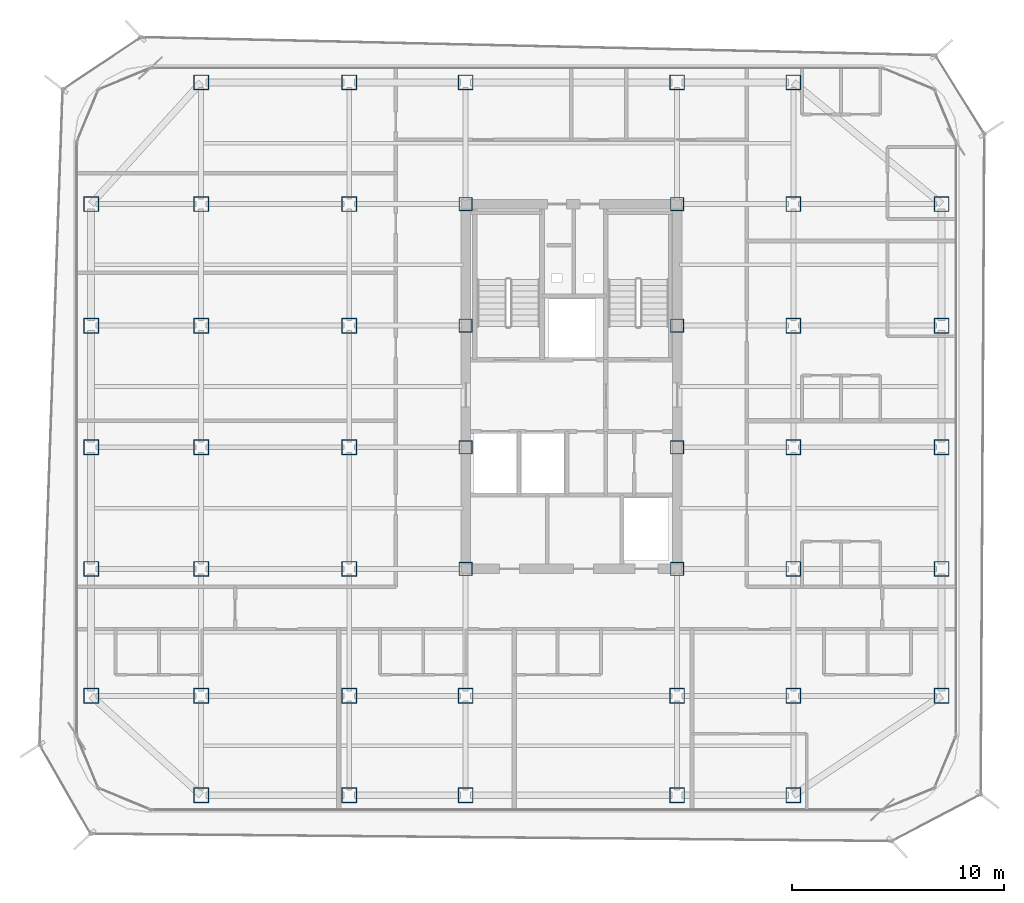
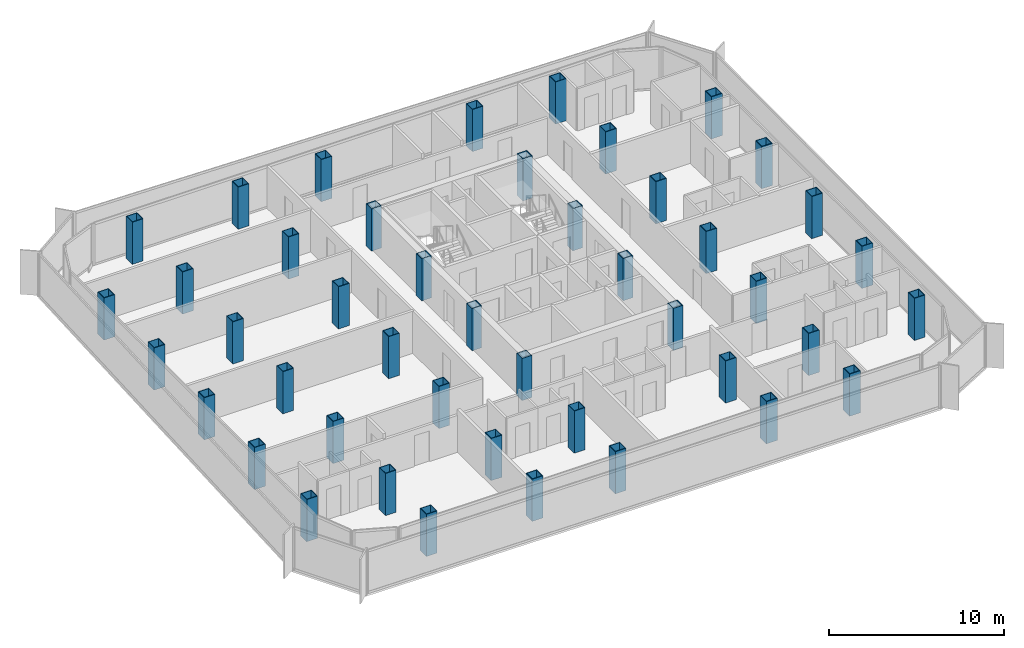
# One storey, part 1 of 16: 45 columns.
"""IFC4 building model written with IfcOpenShell, lengths in metres."""

from ifc_helpers import new_model, si_unit, direction, frame, origin, origin_2d, place, context, subcontext, project, spatial, hollow_rectangle, extrude, source, transform, mapped, material, material_profile, profile_set, type_object, element, save


model = new_model("IFC4")

# Units and contexts
model_context = context("Model", 3, precision=1e-05, world=origin(), true_north=direction((0.0, 1.0)))
body_context = subcontext(model_context, "Body", "Model", "MODEL_VIEW")
ifc_project = project(units=[si_unit("LENGTHUNIT", "METRE"), si_unit("AREAUNIT", "SQUARE_METRE"), si_unit("VOLUMEUNIT", "CUBIC_METRE"), si_unit("PLANEANGLEUNIT", "RADIAN"), si_unit("MASSUNIT", "GRAM", prefix="KILO")], contexts=[model_context])

# Site, building, storey
site_placement = place(None, origin())
site = spatial("IfcSite", under=ifc_project, at=site_placement, CompositionType="ELEMENT")
building_placement = place(site_placement, origin())
building = spatial("IfcBuilding", under=site, at=building_placement, Name="Kolveth Station Tower", CompositionType="ELEMENT")
storey_placement = place(building_placement, frame((0.0, 0.0, 162.5)))
storey = spatial("IfcBuildingStorey", under=building, at=storey_placement, Name="L45", CompositionType="ELEMENT", Elevation=162.5)

# Columns
ifc_material = material(Name="Steel S355", Category="steel")
ifc_material_profile_1 = material_profile(ifc_material, hollow_rectangle(XDim=0.719970703125, YDim=0.719970703125, WallThickness=0.0400390625, at=origin_2d()), Name="BOX720x720x40")
ifc_profile_set_1 = profile_set([ifc_material_profile_1], Name="Steel S355")
column_type_1 = type_object("IfcColumnType", Name="Col_C6", PredefinedType="COLUMN", material=ifc_profile_set_1)
shared_shape_1 = source(origin(), body_context, "Body", "SweptSolid", [
    extrude(hollow_rectangle(XDim=0.719970703125, YDim=0.719970703125, WallThickness=0.0400390625, at=origin_2d()), origin(), (0.0, 0.0, 1.0), 2.949951171875),
])
for number, where, z_axis, x_axis, name in (
    (1, (6.0, 0.800048828125, 0.0), (0.0, 0.0, 1.0), (1.0, 0.0, 0.0), "L45 Tower Column S-X60"),
    (2, (6.0, 34.5, 0.0), (0.0, 0.0, 1.0), (1.0, 0.0, 0.0), "L45 Tower Column N-X60"),
    (3, (13.0, 0.800048828125, 0.0), (0.0, 0.0, 1.0), (1.0, 0.0, 0.0), "L45 Tower Column S-X130"),
    (4, (13.0, 34.5, 0.0), (0.0, 0.0, 1.0), (1.0, 0.0, 0.0), "L45 Tower Column N-X130"),
    (5, (18.5, 0.800048828125, 0.0), (0.0, 0.0, 1.0), (1.0, 0.0, 0.0), "L45 Tower Column S-X185"),
    (6, (18.5, 34.5, 0.0), (0.0, 0.0, 1.0), (1.0, 0.0, 0.0), "L45 Tower Column N-X185"),
    (7, (28.5, 0.800048828125, 0.0), (0.0, 0.0, 1.0), (1.0, 0.0, 0.0), "L45 Tower Column S-X285"),
    (8, (28.5, 34.5, 0.0), (0.0, 0.0, 1.0), (1.0, 0.0, 0.0), "L45 Tower Column N-X285"),
    (9, (34.0, 0.800048828125, 0.0), (0.0, 0.0, 1.0), (1.0, 0.0, 0.0), "L45 Tower Column S-X340"),
    (10, (34.0, 34.5, 0.0), (0.0, 0.0, 1.0), (1.0, 0.0, 0.0), "L45 Tower Column N-X340"),
    (11, (0.800048828125, 5.5, 0.0), (0.0, 0.0, 1.0), (1.0, 0.0, 0.0), "L45 Tower Column W-Y55"),
    (12, (41.0, 5.5, 0.0), (0.0, 0.0, 1.0), (1.0, 0.0, 0.0), "L45 Tower Column E-Y55"),
    (13, (0.800048828125, 11.5, 0.0), (0.0, 0.0, 1.0), (1.0, 0.0, 0.0), "L45 Tower Column W-Y115"),
    (14, (41.0, 11.5, 0.0), (0.0, 0.0, 1.0), (1.0, 0.0, 0.0), "L45 Tower Column E-Y115"),
    (15, (0.800048828125, 17.25, 0.0), (0.0, 0.0, 1.0), (1.0, 0.0, 0.0), "L45 Tower Column W-Y172"),
    (16, (41.0, 17.25, 0.0), (0.0, 0.0, 1.0), (1.0, 0.0, 0.0), "L45 Tower Column E-Y172"),
    (17, (0.800048828125, 23.0, 0.0), (0.0, 0.0, 1.0), (1.0, 0.0, 0.0), "L45 Tower Column W-Y230"),
    (18, (41.0, 23.0, 0.0), (0.0, 0.0, 1.0), (1.0, 0.0, 0.0), "L45 Tower Column E-Y230"),
    (19, (0.800048828125, 28.75, 0.0), (0.0, 0.0, 1.0), (1.0, 0.0, 0.0), "L45 Tower Column W-Y287"),
    (20, (41.0, 28.75, 0.0), (0.0, 0.0, 1.0), (1.0, 0.0, 0.0), "L45 Tower Column E-Y287"),
    (21, (6.0, 5.5, 0.0), (0.0, 0.0, 1.0), (1.0, 0.0, 0.0), "L45 Tower Column G-60-55"),
    (22, (6.0, 11.5, 0.0), (0.0, 0.0, 1.0), (1.0, 0.0, 0.0), "L45 Tower Column G-60-115"),
    (23, (6.0, 17.25, 0.0), (0.0, 0.0, 1.0), (1.0, 0.0, 0.0), "L45 Tower Column G-60-172"),
    (24, (6.0, 23.0, 0.0), (0.0, 0.0, 1.0), (1.0, 0.0, 0.0), "L45 Tower Column G-60-230"),
    (25, (6.0, 28.75, 0.0), (0.0, 0.0, 1.0), (1.0, 0.0, 0.0), "L45 Tower Column G-60-287"),
    (26, (13.0, 5.5, 0.0), (0.0, 0.0, 1.0), (1.0, 0.0, 0.0), "L45 Tower Column G-130-55"),
    (27, (13.0, 11.5, 0.0), (0.0, 0.0, 1.0), (1.0, 0.0, 0.0), "L45 Tower Column G-130-115"),
    (28, (13.0, 17.25, 0.0), (0.0, 0.0, 1.0), (1.0, 0.0, 0.0), "L45 Tower Column G-130-172"),
    (29, (13.0, 23.0, 0.0), (0.0, 0.0, 1.0), (1.0, 0.0, 0.0), "L45 Tower Column G-130-230"),
    (30, (13.0, 28.75, 0.0), (0.0, 0.0, 1.0), (1.0, 0.0, 0.0), "L45 Tower Column G-130-287"),
    (31, (18.5, 5.5, 0.0), (0.0, 0.0, 1.0), (1.0, 0.0, 0.0), "L45 Tower Column G-185-55"),
    (32, (28.5, 5.5, 0.0), (0.0, 0.0, 1.0), (1.0, 0.0, 0.0), "L45 Tower Column G-285-55"),
    (33, (34.0, 5.5, 0.0), (0.0, 0.0, 1.0), (1.0, 0.0, 0.0), "L45 Tower Column G-340-55"),
    (34, (34.0, 11.5, 0.0), (0.0, 0.0, 1.0), (1.0, 0.0, 0.0), "L45 Tower Column G-340-115"),
    (35, (34.0, 17.25, 0.0), (0.0, 0.0, 1.0), (1.0, 0.0, 0.0), "L45 Tower Column G-340-172"),
    (36, (34.0, 23.0, 0.0), (0.0, 0.0, 1.0), (1.0, 0.0, 0.0), "L45 Tower Column G-340-230"),
    (37, (34.0, 28.75, 0.0), (0.0, 0.0, 1.0), (1.0, 0.0, 0.0), "L45 Tower Column G-340-287"),
):
    element("IfcColumn", number, at=place(storey_placement, frame(where, z_axis=z_axis, x_axis=x_axis)), inside=storey, type_object=column_type_1, Name=name, PredefinedType="COLUMN", context=body_context, shape_type="MappedRepresentation", body=[
        mapped(shared_shape_1, transform((0.0, 0.0, 0.0), x_axis=(1.0, 0.0, 0.0), y_axis=(0.0, 1.0, 0.0), z_axis=(0.0, 0.0, 1.0), scale=1.0)),
    ])
ifc_material_profile_2 = material_profile(ifc_material, hollow_rectangle(XDim=0.639892578125, YDim=0.639892578125, WallThickness=0.034912109375, at=origin_2d()), Name="BOX640x640x35")
ifc_profile_set_2 = profile_set([ifc_material_profile_2], Name="Steel S355")
column_type_2 = type_object("IfcColumnType", Name="Col_C7", PredefinedType="COLUMN", material=ifc_profile_set_2)
shared_shape_2 = source(origin(), body_context, "Body", "SweptSolid", [
    extrude(hollow_rectangle(XDim=0.639892578125, YDim=0.639892578125, WallThickness=0.034912109375, at=origin_2d()), origin(), (0.0, 0.0, 1.0), 2.949951171875),
])
for number, where, z_axis, x_axis, name in (
    (38, (18.5, 11.5, 0.0), (0.0, 0.0, 1.0), (1.0, 0.0, 0.0), "L45 Tower Column G-185-115"),
    (39, (18.5, 17.25, 0.0), (0.0, 0.0, 1.0), (1.0, 0.0, 0.0), "L45 Tower Column G-185-172"),
    (40, (18.5, 23.0, 0.0), (0.0, 0.0, 1.0), (1.0, 0.0, 0.0), "L45 Tower Column G-185-230"),
    (41, (18.5, 28.75, 0.0), (0.0, 0.0, 1.0), (1.0, 0.0, 0.0), "L45 Tower Column G-185-287"),
    (42, (28.5, 11.5, 0.0), (0.0, 0.0, 1.0), (1.0, 0.0, 0.0), "L45 Tower Column G-285-115"),
    (43, (28.5, 17.25, 0.0), (0.0, 0.0, 1.0), (1.0, 0.0, 0.0), "L45 Tower Column G-285-172"),
    (44, (28.5, 23.0, 0.0), (0.0, 0.0, 1.0), (1.0, 0.0, 0.0), "L45 Tower Column G-285-230"),
    (45, (28.5, 28.75, 0.0), (0.0, 0.0, 1.0), (1.0, 0.0, 0.0), "L45 Tower Column G-285-287"),
):
    element("IfcColumn", number, at=place(storey_placement, frame(where, z_axis=z_axis, x_axis=x_axis)), inside=storey, type_object=column_type_2, Name=name, PredefinedType="COLUMN", context=body_context, shape_type="MappedRepresentation", body=[
        mapped(shared_shape_2, transform((0.0, 0.0, 0.0), x_axis=(1.0, 0.0, 0.0), y_axis=(0.0, 1.0, 0.0), z_axis=(0.0, 0.0, 1.0), scale=1.0)),
    ])

save(model, "model.ifc")
